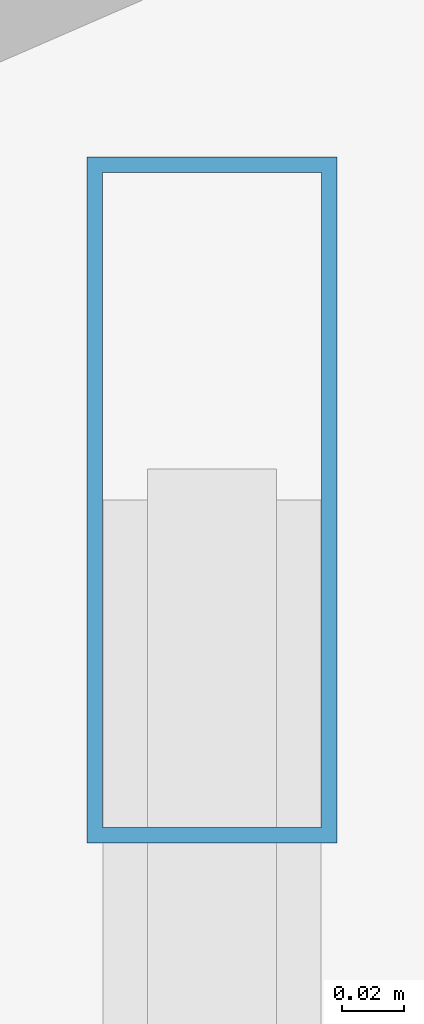
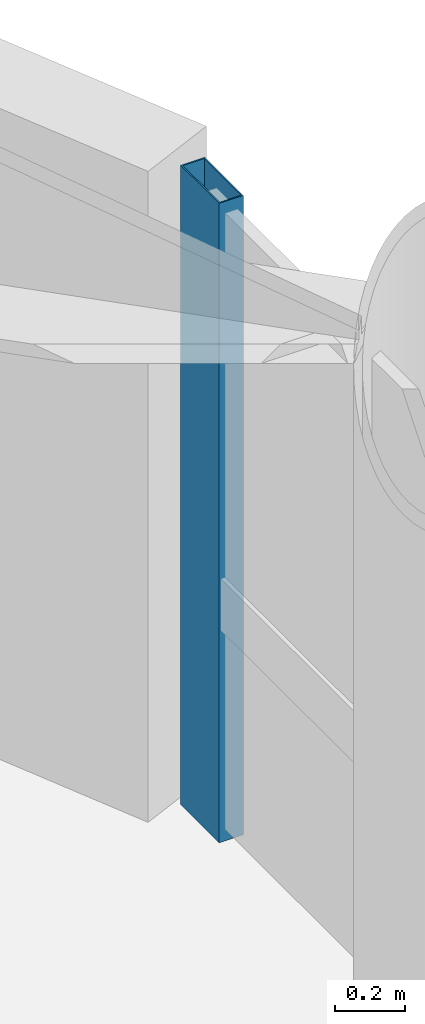
# One storey, part 18 of 26: 1 member, 1 element without a shape of its own.
"""IFC4 building model written with IfcOpenShell, lengths in metres."""

from ifc_helpers import new_model, si_unit, direction, frame, origin, origin_2d, place, context, subcontext, project, spatial, hollow_rectangle, extrude, material, layer, layer_set, material_profile, profile_set, type_object, element, aggregate, save


model = new_model("IFC4")

# Units and contexts
model_context = context("Model", 3, precision=1e-05, world=origin(), true_north=direction((0.0, 1.0)))
body_context = subcontext(model_context, "Body", "Model", "MODEL_VIEW")
ifc_project = project(units=[si_unit("LENGTHUNIT", "METRE"), si_unit("AREAUNIT", "SQUARE_METRE"), si_unit("VOLUMEUNIT", "CUBIC_METRE"), si_unit("PLANEANGLEUNIT", "RADIAN"), si_unit("MASSUNIT", "GRAM", prefix="KILO")], contexts=[model_context])

# Site, building, storey
site_placement = place(None, origin())
site = spatial("IfcSite", under=ifc_project, at=site_placement, CompositionType="ELEMENT")
building_placement = place(site_placement, origin())
building = spatial("IfcBuilding", under=site, at=building_placement, Name="Kallvorn Hotel Tower", CompositionType="ELEMENT")
storey_placement = place(building_placement, frame((0.0, 0.0, 222.300048828125)))
storey = spatial("IfcBuildingStorey", under=building, at=storey_placement, Name="L55", CompositionType="ELEMENT", Elevation=222.300048828125)

# Curtain wall, member
ifc_material_1 = material(Name="Thermally broken black-anodised aluminium AA 6063-T6", Category="aluminium")
ifc_layer = layer(ifc_material_1, 0.22998046875)
ifc_layer_set = layer_set([ifc_layer], Name="CW_SYS_5_HOTEL_HIGH")
curtain_wall_type = type_object("IfcCurtainWallType", Name="CW_SYS_5_HOTEL_HIGH", PredefinedType="USERDEFINED", material=ifc_layer_set)
curtain_wall_placement = place(storey_placement, origin())
curtain_wall = element("IfcCurtainWall", 1, at=curtain_wall_placement, inside=storey, type_object=curtain_wall_type, Name="L55 Dark-Glass Curtain Wall CW-L55-EN", ObjectType="UNITISED CURTAIN WALL", PredefinedType="USERDEFINED")
ifc_material_2 = material(Name="Thermally broken black-anodised aluminium AA 6063-T6", Category="aluminium")
ifc_material_profile = material_profile(ifc_material_2, hollow_rectangle(XDim=0.080078125, YDim=0.219970703125, WallThickness=0.0048828125, at=origin_2d()), Name="MUL 220x80")
ifc_profile_set = profile_set([ifc_material_profile], Name="Thermally broken black-anodised aluminium AA 6063-T6")
member_type = type_object("IfcMemberType", Name="CW_MULLION_220x80", PredefinedType="MULLION", material=ifc_profile_set)
member_placement = place(storey_placement, frame((33.47998046875, 20.360107421875, 0.02001953125), z_axis=(0.0, 0.0, 1.0), x_axis=(1.0, 0.0, 0.0)))
member = element("IfcMember", 2, at=member_placement, type_object=member_type, Name="CW-L55-EN Mullion 01", PredefinedType="MULLION", context=body_context, shape_type="SweptSolid", body=[
    extrude(hollow_rectangle(XDim=0.080078125, YDim=0.219970703125, WallThickness=0.0048828125, at=origin_2d()), origin(), (0.0, 0.0, 1.0), 2.22998046875),
])
aggregate(curtain_wall, [member])

save(model, "model.ifc")
